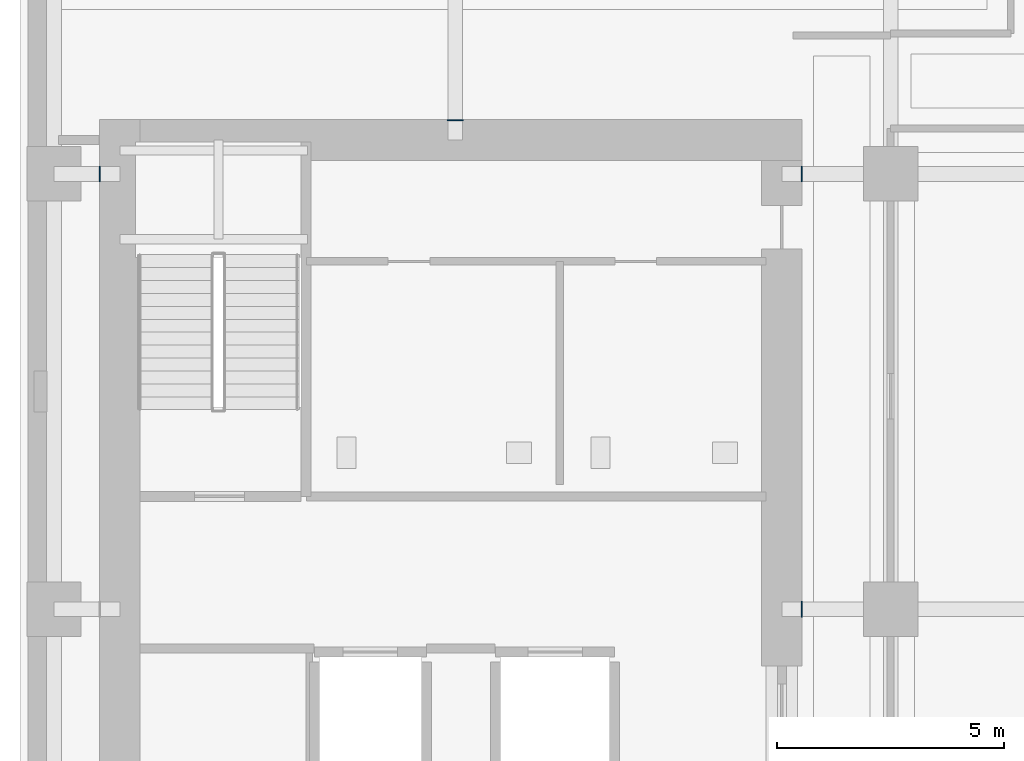
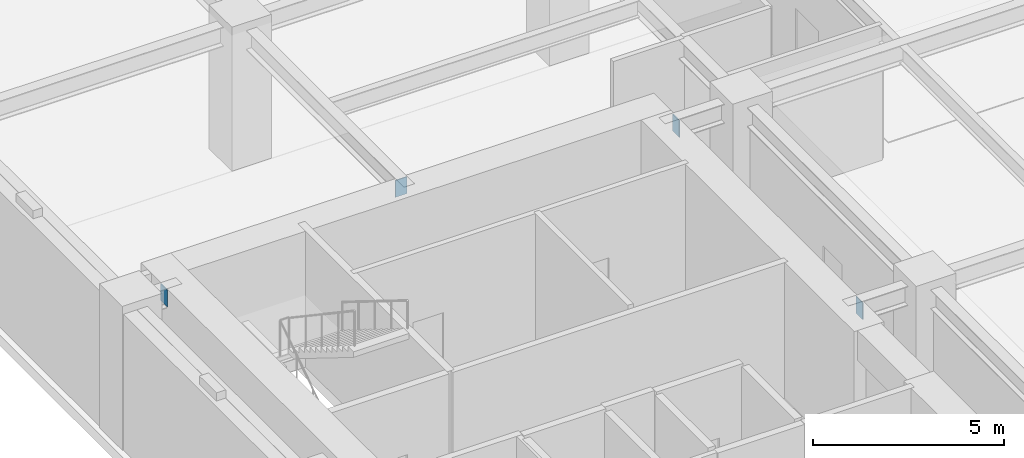
# One storey, part 14 of 21: 4 discrete accessories.
"""IFC4 building model written with IfcOpenShell, lengths in metres."""

from ifc_helpers import new_model, si_unit, direction, frame, origin, origin_2d, place, context, subcontext, project, spatial, rectangle, extrude, material, layer, layer_set, type_object, element, save


model = new_model("IFC4")

# Units and contexts
model_context = context("Model", 3, precision=1e-05, world=origin(), true_north=direction((0.0, 1.0)))
body_context = subcontext(model_context, "Body", "Model", "MODEL_VIEW")
ifc_project = project(units=[si_unit("LENGTHUNIT", "METRE"), si_unit("AREAUNIT", "SQUARE_METRE"), si_unit("VOLUMEUNIT", "CUBIC_METRE"), si_unit("PLANEANGLEUNIT", "RADIAN"), si_unit("MASSUNIT", "GRAM", prefix="KILO")], contexts=[model_context])

# Site, building, storey
site_placement = place(None, origin())
site = spatial("IfcSite", under=ifc_project, at=site_placement, CompositionType="ELEMENT")
building_placement = place(site_placement, origin())
building = spatial("IfcBuilding", under=site, at=building_placement, Name="Norrvale University Quadrangle", CompositionType="ELEMENT")
storey_placement = place(building_placement, frame((0.0, 0.0, 19.60009765625)))
storey = spatial("IfcBuildingStorey", under=building, at=storey_placement, Name="L04", CompositionType="ELEMENT", Elevation=19.60009765625)

# Discrete accessories
ifc_material = material(Name="Steel 350W", Category="steel")
ifc_layer = layer(ifc_material, 0.02490234375, Name="Steel 350W")
ifc_layer_set = layer_set([ifc_layer], Name="Steel 350W")
discrete_accessory_type = type_object("IfcDiscreteAccessoryType", Name="Accessory Cast In Embed Plate", PredefinedType="ANCHORPLATE", material=ifc_layer_set)
for number, where, z_axis, x_axis, name in (
    (1, (17.237548828125, 37.64990234375, 3.759765625), (0.0, 0.0, 1.0), (1.0, 0.0, 0.0), "Core Wall Cast-in Embed Plate L04-GCE076"),
    (2, (1.762451171875, 47.25, 3.759765625), (0.0, 0.0, 1.0), (1.0, 0.0, 0.0), "Core Wall Cast-in Embed Plate L04-GCW077"),
    (3, (17.237548828125, 47.25, 3.759765625), (0.0, 0.0, 1.0), (1.0, 0.0, 0.0), "Core Wall Cast-in Embed Plate L04-GCE078"),
):
    element("IfcDiscreteAccessory", number, at=place(storey_placement, frame(where, z_axis=z_axis, x_axis=x_axis)), inside=storey, type_object=discrete_accessory_type, Name=name, PredefinedType="ANCHORPLATE", context=body_context, shape_type="SweptSolid", body=[
        extrude(rectangle(XDim=0.02490234375, YDim=0.35009765625, at=origin_2d()), origin(), (0.0, 0.0, 1.0), 0.5400390625),
    ])
discrete_accessory_placement = place(storey_placement, frame((9.60009765625, 48.4375, 3.759765625), z_axis=(0.0, 0.0, 1.0), x_axis=(1.0, 0.0, 0.0)))
element("IfcDiscreteAccessory", 4, at=discrete_accessory_placement, inside=storey, type_object=discrete_accessory_type, Name="Core Wall Cast-in Embed Plate L04-GCN104", PredefinedType="ANCHORPLATE", context=body_context, shape_type="SweptSolid", body=[
    extrude(rectangle(XDim=0.35009765625, YDim=0.02490234375, at=origin_2d()), origin(), (0.0, 0.0, 1.0), 0.5400390625),
])

save(model, "model.ifc")
